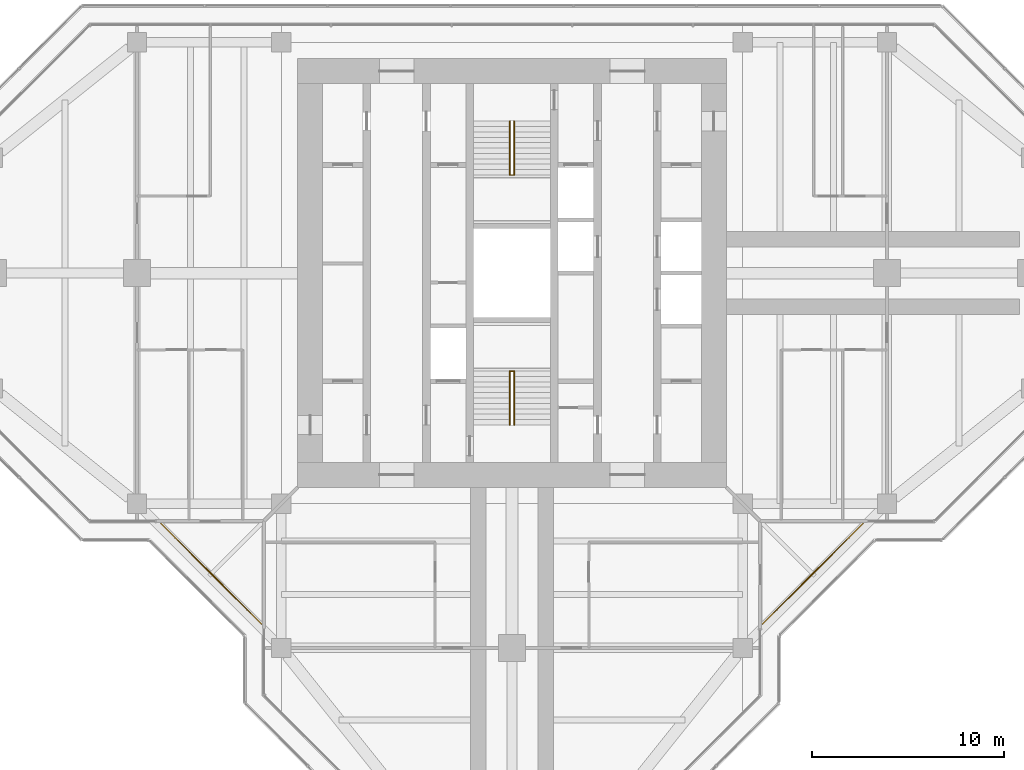
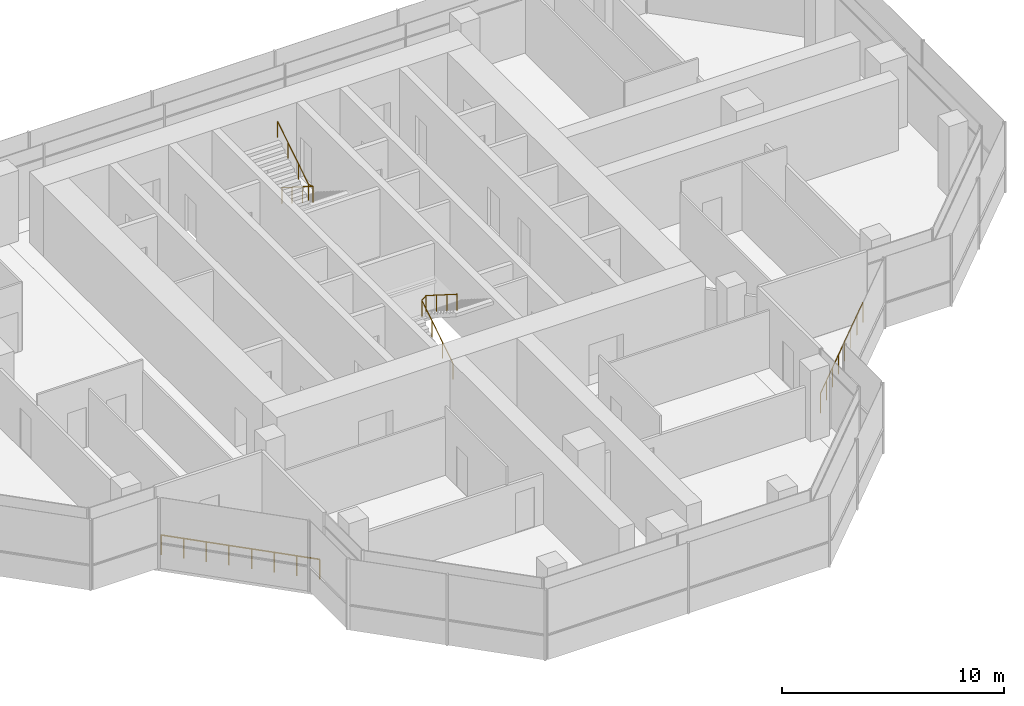
# One storey, part 16 of 16: 4 railings.
"""IFC4 building model written with IfcOpenShell, lengths in metres."""

from ifc_helpers import new_model, si_unit, direction, frame, origin, origin_2d, place, context, subcontext, project, spatial, circle, extrude, material, type_object, element, save


model = new_model("IFC4")

# Units and contexts
model_context = context("Model", 3, precision=1e-05, world=origin(), true_north=direction((0.0, 1.0)))
body_context = subcontext(model_context, "Body", "Model", "MODEL_VIEW")
ifc_project = project(units=[si_unit("LENGTHUNIT", "METRE"), si_unit("AREAUNIT", "SQUARE_METRE"), si_unit("VOLUMEUNIT", "CUBIC_METRE"), si_unit("PLANEANGLEUNIT", "RADIAN"), si_unit("MASSUNIT", "GRAM", prefix="KILO")], contexts=[model_context])

# Site, building, storey
site_placement = place(None, origin())
site = spatial("IfcSite", under=ifc_project, at=site_placement, CompositionType="ELEMENT")
building_placement = place(site_placement, origin())
building = spatial("IfcBuilding", under=site, at=building_placement, Name="Mizan Broadcast Tower", CompositionType="ELEMENT")
storey_placement = place(building_placement, frame((0.0, 0.0, 290.699951171875)))
storey = spatial("IfcBuildingStorey", under=building, at=storey_placement, Name="L69", CompositionType="ELEMENT", Elevation=290.699951171875)

# Railings
ifc_material_1 = material(Name="Stainless steel and glass guard", Category="steel")
railing_type_1 = type_object("IfcRailingType", Name="GUARD 1100", PredefinedType="GUARDRAIL", material=ifc_material_1)
railing_1_placement = place(storey_placement, frame((-18.2578125, -13.030029296875, 0.0)))
element("IfcRailing", 1, at=railing_1_placement, inside=storey, type_object=railing_type_1, Name="Winter garden guard L69 W", PredefinedType="GUARDRAIL", context=body_context, shape_type="SweptSolid", body=[
    extrude(circle(Radius=0.02392578125, at=origin_2d()), frame((0.0, 0.0, 1.076171875), z_axis=(0.707106781187, -0.707106781187, 0.0), x_axis=(0.707106781187, 0.707106781187, 0.0)), (0.0, 0.0, 1.0), 7.393310546875),
    extrude(circle(Radius=0.02099609375, at=origin_2d()), origin(), (0.0, 0.0, 1.0), 1.052001953125),
    extrude(circle(Radius=0.02099609375, at=origin_2d()), frame((0.746826171875, -0.746826171875, 0.0)), (0.0, 0.0, 1.0), 1.052001953125),
    extrude(circle(Radius=0.02099609375, at=origin_2d()), frame((1.49365234375, -1.49365234375, 0.0)), (0.0, 0.0, 1.0), 1.052001953125),
    extrude(circle(Radius=0.02099609375, at=origin_2d()), frame((2.240478515625, -2.240478515625, 0.0)), (0.0, 0.0, 1.0), 1.052001953125),
    extrude(circle(Radius=0.02099609375, at=origin_2d()), frame((2.9873046875, -2.9873046875, 0.0)), (0.0, 0.0, 1.0), 1.052001953125),
    extrude(circle(Radius=0.02099609375, at=origin_2d()), frame((3.734130859375, -3.734130859375, 0.0)), (0.0, 0.0, 1.0), 1.052001953125),
    extrude(circle(Radius=0.02099609375, at=origin_2d()), frame((4.48095703125, -4.48095703125, 0.0)), (0.0, 0.0, 1.0), 1.052001953125),
    extrude(circle(Radius=0.02099609375, at=origin_2d()), frame((5.227783203125, -5.227783203125, 0.0)), (0.0, 0.0, 1.0), 1.052001953125),
])
railing_2_placement = place(storey_placement, frame((13.030029296875, -18.2578125, 0.0)))
element("IfcRailing", 2, at=railing_2_placement, inside=storey, type_object=railing_type_1, Name="Winter garden guard L69 S", PredefinedType="GUARDRAIL", context=body_context, shape_type="SweptSolid", body=[
    extrude(circle(Radius=0.02392578125, at=origin_2d()), frame((0.0, 0.0, 1.076171875), z_axis=(0.707106781187, 0.707106781187, 0.0), x_axis=(-0.707106781187, 0.707106781187, 0.0)), (0.0, 0.0, 1.0), 7.393310546875),
    extrude(circle(Radius=0.02099609375, at=origin_2d()), origin(), (0.0, 0.0, 1.0), 1.052001953125),
    extrude(circle(Radius=0.02099609375, at=origin_2d()), frame((0.746826171875, 0.746826171875, 0.0)), (0.0, 0.0, 1.0), 1.052001953125),
    extrude(circle(Radius=0.02099609375, at=origin_2d()), frame((1.49365234375, 1.49365234375, 0.0)), (0.0, 0.0, 1.0), 1.052001953125),
    extrude(circle(Radius=0.02099609375, at=origin_2d()), frame((2.240478515625, 2.240478515625, 0.0)), (0.0, 0.0, 1.0), 1.052001953125),
    extrude(circle(Radius=0.02099609375, at=origin_2d()), frame((2.9873046875, 2.9873046875, 0.0)), (0.0, 0.0, 1.0), 1.052001953125),
    extrude(circle(Radius=0.02099609375, at=origin_2d()), frame((3.734130859375, 3.734130859375, 0.0)), (0.0, 0.0, 1.0), 1.052001953125),
    extrude(circle(Radius=0.02099609375, at=origin_2d()), frame((4.48095703125, 4.48095703125, 0.0)), (0.0, 0.0, 1.0), 1.052001953125),
    extrude(circle(Radius=0.02099609375, at=origin_2d()), frame((5.227783203125, 5.227783203125, 0.0)), (0.0, 0.0, 1.0), 1.052001953125),
])
ifc_material_2 = material(Name="Stainless steel", Category="steel")
railing_type_2 = type_object("IfcRailingType", Name="HANDRAIL 50", PredefinedType="HANDRAIL", material=ifc_material_2)
railing_3_placement = place(storey_placement, frame((-0.110107421875, -7.89990234375, 0.17724609375)))
element("IfcRailing", 3, at=railing_3_placement, inside=storey, type_object=railing_type_2, Name="Stair A handrail", PredefinedType="HANDRAIL", context=body_context, shape_type="SweptSolid", body=[
    extrude(circle(Radius=0.02392578125, at=origin_2d()), frame((0.0, 0.0, 0.8759765625), z_axis=(0.0, 0.844887892834, 0.53494340686), x_axis=(-1.0, 0.0, 0.0)), (0.0, 0.0, 1.0), 3.313720703125),
    extrude(circle(Radius=0.02392578125, at=origin_2d()), frame((0.0, 2.7998046875, 2.6484375), z_axis=(0.77858989007, 0.0, 0.627533093216), x_axis=(0.0, 1.0, 0.0)), (0.0, 0.0, 1.0), 0.282958984375),
    extrude(circle(Radius=0.02392578125, at=origin_2d()), frame((0.22021484375, 2.7998046875, 2.826171875), z_axis=(0.0, -0.844887892834, 0.53494340686), x_axis=(1.0, 0.0, 0.0)), (0.0, 0.0, 1.0), 3.313720703125),
    extrude(circle(Radius=0.02099609375, at=origin_2d()), origin(), (0.0, 0.0, 1.0), 0.851806640625),
    extrude(circle(Radius=0.02099609375, at=origin_2d()), frame((0.0, 0.933349609375, 0.5908203125)), (0.0, 0.0, 1.0), 0.851806640625),
    extrude(circle(Radius=0.02099609375, at=origin_2d()), frame((0.0, 1.866455078125, 1.181884765625)), (0.0, 0.0, 1.0), 0.851806640625),
    extrude(circle(Radius=0.02099609375, at=origin_2d()), frame((0.0, 2.7998046875, 1.772705078125)), (0.0, 0.0, 1.0), 0.851806640625),
    extrude(circle(Radius=0.02099609375, at=origin_2d()), frame((0.22021484375, 2.7998046875, 1.9501953125)), (0.0, 0.0, 1.0), 0.851806640625),
    extrude(circle(Radius=0.02099609375, at=origin_2d()), frame((0.22021484375, 1.866455078125, 2.541015625)), (0.0, 0.0, 1.0), 0.851806640625),
    extrude(circle(Radius=0.02099609375, at=origin_2d()), frame((0.22021484375, 0.933349609375, 3.132080078125)), (0.0, 0.0, 1.0), 0.851806640625),
    extrude(circle(Radius=0.02099609375, at=origin_2d()), frame((0.22021484375, 0.0, 3.722900390625)), (0.0, 0.0, 1.0), 0.851806640625),
])
railing_4_placement = place(storey_placement, frame((0.110107421875, 7.89990234375, 0.17724609375)))
element("IfcRailing", 4, at=railing_4_placement, inside=storey, type_object=railing_type_2, Name="Stair B handrail", PredefinedType="HANDRAIL", context=body_context, shape_type="SweptSolid", body=[
    extrude(circle(Radius=0.02392578125, at=origin_2d()), frame((0.0, 0.0, 0.8759765625), z_axis=(0.0, -0.844887892834, 0.53494340686), x_axis=(1.0, 0.0, 0.0)), (0.0, 0.0, 1.0), 3.313720703125),
    extrude(circle(Radius=0.02392578125, at=origin_2d()), frame((0.0, -2.7998046875, 2.6484375), z_axis=(-0.77858989007, 0.0, 0.627533093216), x_axis=(0.0, -1.0, 0.0)), (0.0, 0.0, 1.0), 0.282958984375),
    extrude(circle(Radius=0.02392578125, at=origin_2d()), frame((-0.22021484375, -2.7998046875, 2.826171875), z_axis=(0.0, 0.844887892834, 0.53494340686), x_axis=(-1.0, 0.0, 0.0)), (0.0, 0.0, 1.0), 3.313720703125),
    extrude(circle(Radius=0.02099609375, at=origin_2d()), origin(), (0.0, 0.0, 1.0), 0.851806640625),
    extrude(circle(Radius=0.02099609375, at=origin_2d()), frame((0.0, -0.933349609375, 0.5908203125)), (0.0, 0.0, 1.0), 0.851806640625),
    extrude(circle(Radius=0.02099609375, at=origin_2d()), frame((0.0, -1.866455078125, 1.181884765625)), (0.0, 0.0, 1.0), 0.851806640625),
    extrude(circle(Radius=0.02099609375, at=origin_2d()), frame((0.0, -2.7998046875, 1.772705078125)), (0.0, 0.0, 1.0), 0.851806640625),
    extrude(circle(Radius=0.02099609375, at=origin_2d()), frame((-0.22021484375, -2.7998046875, 1.9501953125)), (0.0, 0.0, 1.0), 0.851806640625),
    extrude(circle(Radius=0.02099609375, at=origin_2d()), frame((-0.22021484375, -1.866455078125, 2.541015625)), (0.0, 0.0, 1.0), 0.851806640625),
    extrude(circle(Radius=0.02099609375, at=origin_2d()), frame((-0.22021484375, -0.933349609375, 3.132080078125)), (0.0, 0.0, 1.0), 0.851806640625),
    extrude(circle(Radius=0.02099609375, at=origin_2d()), frame((-0.22021484375, 0.0, 3.722900390625)), (0.0, 0.0, 1.0), 0.851806640625),
])

save(model, "model.ifc")
